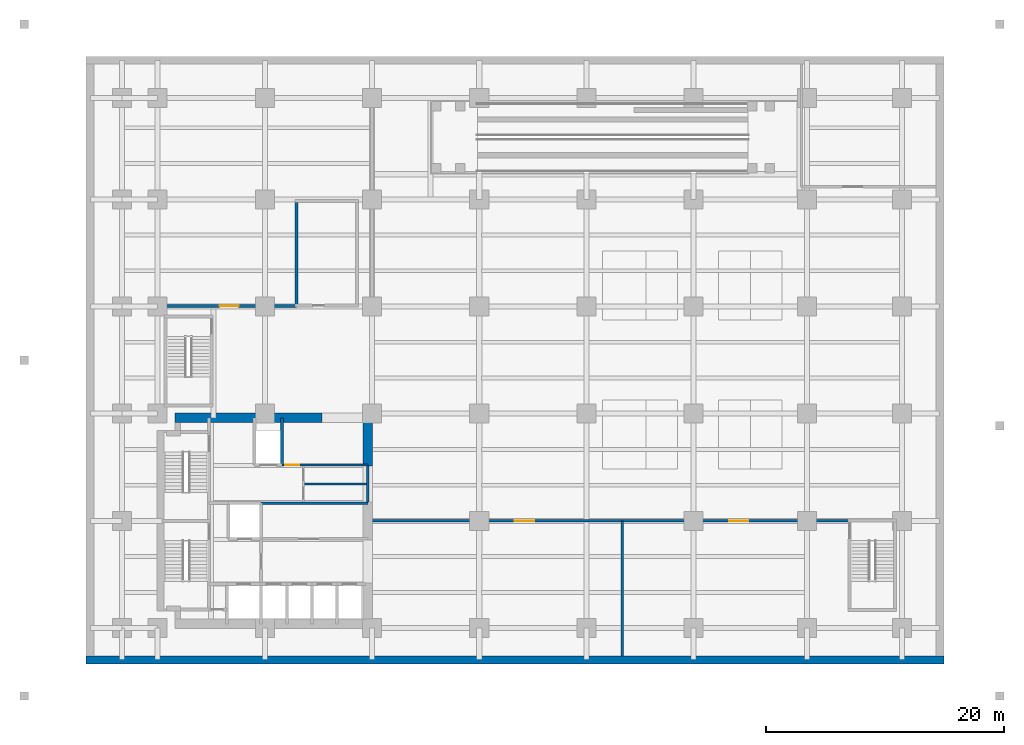
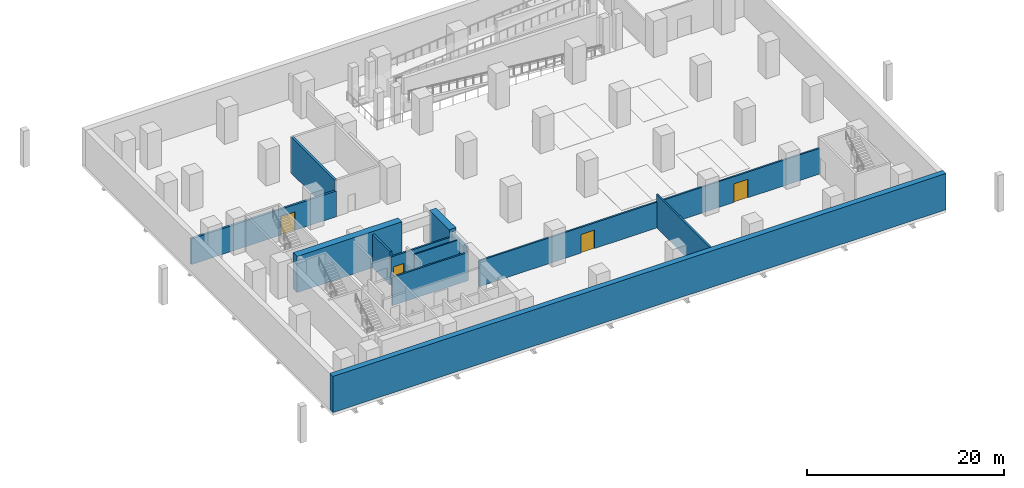
# One storey, part 6 of 10: 13 walls, 4 doors, 4 openings.
"""IFC4 building model written with IfcOpenShell, lengths in metres."""

from ifc_helpers import new_model, si_unit, direction, frame, frame_2d, origin, place, context, subcontext, project, spatial, rectangle, extrude, material, layer, layer_set, type_object, element, fill, save


model = new_model("IFC4")

# Units and contexts
model_context = context("Model", 3, precision=1e-05, world=origin(), true_north=direction((0.0, 1.0)))
body_context = subcontext(model_context, "Body", "Model", "MODEL_VIEW")
ifc_project = project(units=[si_unit("LENGTHUNIT", "METRE"), si_unit("AREAUNIT", "SQUARE_METRE"), si_unit("VOLUMEUNIT", "CUBIC_METRE"), si_unit("PLANEANGLEUNIT", "RADIAN"), si_unit("MASSUNIT", "GRAM", prefix="KILO")], contexts=[model_context])

# Site, building, storey
site_placement = place(None, origin())
site = spatial("IfcSite", under=ifc_project, at=site_placement, CompositionType="ELEMENT")
building_placement = place(site_placement, origin())
building = spatial("IfcBuilding", under=site, at=building_placement, Name="Mawjdan Bourse Tower", CompositionType="ELEMENT")
storey_placement = place(building_placement, frame((0.0, 0.0, -9.0)))
storey = spatial("IfcBuildingStorey", under=building, at=storey_placement, Name="B02", CompositionType="ELEMENT", Elevation=-9.0)

# Wall, opening, door
ifc_material_1 = material(Name="Gypsum Fireboard Assembly")
ifc_layer_1 = layer(ifc_material_1, 0.199951171875)
ifc_layer_set_1 = layer_set([ifc_layer_1], Name="Gypsum Fireboard Assembly")
wall_type_1 = type_object("IfcWallType", Name="WL-CMP-200", PredefinedType="PARTITIONING", material=ifc_layer_set_1)
wall_1_placement = place(storey_placement, frame((16.449951171875, 16.699951171875, 0.0), z_axis=(0.0, 0.0, 1.0), x_axis=(1.0, 0.0, 0.0)))
wall_1 = element("IfcWall", 1, at=wall_1_placement, inside=storey, type_object=wall_type_1, Name="B02 Basement Core Header South Wall", PredefinedType="PARTITIONING", context=body_context, shape_type="SweptSolid", body=[
    extrude(rectangle(XDim=7.199951171875, YDim=0.199951171875, at=frame_2d((3.60009765625, 0.0))), origin(), (0.0, 0.0, 1.0), 3.52294921875),
])
opening_1_placement = place(wall_1_placement, frame((0.25, 0.0, 0.0)))
opening_1 = element("IfcOpeningElement", 2, at=opening_1_placement, cuts=wall_1, Name="Opening PD-B02-10", PredefinedType="OPENING", context=body_context, shape_type="SweptSolid", body=[
    extrude(rectangle(XDim=1.199951171875, YDim=2.199951171875, at=frame_2d((0.60009765625, 1.10009765625))), frame((0.0, 0.10986328125, 0.0), z_axis=(0.0, -1.0, 0.0), x_axis=(1.0, 0.0, 0.0)), (0.0, 0.0, 1.0), 0.219970703125),
])
ifc_material_2 = material(Name="Fire-Rated Steel Leaf", Category="steel")
door_type_1 = type_object("IfcDoorType", Name="FD-FFL-1200", OperationType="NOTDEFINED", PredefinedType="DOOR", material=ifc_material_2)
door_1_placement = place(opening_1_placement, origin())
door_1 = element("IfcDoor", 3, at=door_1_placement, inside=storey, type_object=door_type_1, Name="B02 Core Header Room Door PD-B02-10", OperationType="SINGLE_SWING_LEFT", OverallHeight=2.199951171875, OverallWidth=1.199951171875, PredefinedType="DOOR", context=body_context, shape_type="SweptSolid", body=[
    extrude(rectangle(XDim=1.199951171875, YDim=2.199951171875, at=frame_2d((0.60009765625, 1.10009765625))), frame((0.0, 0.02490234375, 0.0), z_axis=(0.0, -1.0, 0.0), x_axis=(1.0, 0.0, 0.0)), (0.0, 0.0, 1.0), 0.050048828125),
])
fill(opening_1, door_1)

# Walls
wall_2_placement = place(storey_placement, frame((14.699951171875, 13.5, 0.0), z_axis=(0.0, 0.0, 1.0), x_axis=(1.0, 0.0, 0.0)))
element("IfcWall", 4, at=wall_2_placement, inside=storey, type_object=wall_type_1, Name="B02 Basement Switchroom North Wall", PredefinedType="PARTITIONING", context=body_context, shape_type="SweptSolid", body=[
    extrude(rectangle(XDim=8.949951171875, YDim=0.199951171875, at=frame_2d((4.47509765625, 0.0))), origin(), (0.0, 0.0, 1.0), 3.52294921875),
])
wall_3_placement = place(storey_placement, frame((23.64990234375, 13.60009765625, 0.0), z_axis=(0.0, 0.0, 1.0), x_axis=(0.0, 1.0, 0.0)))
element("IfcWall", 5, at=wall_3_placement, inside=storey, type_object=wall_type_1, Name="B02 Core Restroom East Enclosing Wall", PredefinedType="PARTITIONING", context=body_context, shape_type="SweptSolid", body=[
    extrude(rectangle(XDim=3.0, YDim=0.199951171875, at=frame_2d((1.5, 0.0))), origin(), (0.0, 0.0, 1.0), 4.139892578125),
])
wall_4_placement = place(storey_placement, frame((45.0, 0.64990234375, 0.0), z_axis=(0.0, 0.0, 1.0), x_axis=(0.0, 1.0, 0.0)))
element("IfcWall", 6, at=wall_4_placement, inside=storey, type_object=wall_type_1, Name="B02 Basement South Plant Split Wall", PredefinedType="PARTITIONING", context=body_context, shape_type="SweptSolid", body=[
    extrude(rectangle(XDim=11.35009765625, YDim=0.199951171875, at=frame_2d((5.675048828125, 0.0))), origin(), (0.0, 0.0, 1.0), 4.139892578125),
])

# Wall, opening, door
wall_5_placement = place(storey_placement, frame((24.0, 12.0, 0.0), z_axis=(0.0, 0.0, 1.0), x_axis=(1.0, 0.0, 0.0)))
wall_5 = element("IfcWall", 7, at=wall_5_placement, inside=storey, type_object=wall_type_1, Name="B02 Lusail District Cooling ETS Plant Room North Wall", PredefinedType="PARTITIONING", context=body_context, shape_type="SweptSolid", body=[
    extrude(rectangle(XDim=21.0, YDim=0.199951171875, at=frame_2d((10.5, 0.0))), origin(), (0.0, 0.0, 1.0), 3.199951171875),
])
opening_2_placement = place(wall_5_placement, frame((12.0, 0.0, 0.0)))
opening_2 = element("IfcOpeningElement", 8, at=opening_2_placement, cuts=wall_5, Name="Opening PD-B02-22", PredefinedType="OPENING", context=body_context, shape_type="SweptSolid", body=[
    extrude(rectangle(XDim=1.60009765625, YDim=2.300048828125, at=frame_2d((0.800048828125, 1.14990234375))), frame((0.0, 0.10986328125, 0.0), z_axis=(0.0, -1.0, 0.0), x_axis=(1.0, 0.0, 0.0)), (0.0, 0.0, 1.0), 0.219970703125),
])
ifc_material_3 = material(Name="Fire-Rated Acoustic Steel", Category="steel")
door_type_2 = type_object("IfcDoorType", Name="FD-PLT-1600", OperationType="DOUBLE_DOOR_SINGLE_SWING", PredefinedType="DOOR", material=ifc_material_3)
door_2_placement = place(opening_2_placement, origin())
door_2 = element("IfcDoor", 9, at=door_2_placement, inside=storey, type_object=door_type_2, Name="B02 Lusail District Cooling ETS Plant Room Door PD-B02-22", OperationType="DOUBLE_DOOR_SINGLE_SWING", OverallHeight=2.300048828125, OverallWidth=1.60009765625, PredefinedType="DOOR", context=body_context, shape_type="SweptSolid", body=[
    extrude(rectangle(XDim=1.60009765625, YDim=2.300048828125, at=frame_2d((0.800048828125, 1.14990234375))), frame((0.0, 0.02490234375, 0.0), z_axis=(0.0, -1.0, 0.0), x_axis=(1.0, 0.0, 0.0)), (0.0, 0.0, 1.0), 0.050048828125),
])
fill(opening_2, door_2)

wall_6_placement = place(storey_placement, frame((45.0, 12.0, 0.0), z_axis=(0.0, 0.0, 1.0), x_axis=(1.0, 0.0, 0.0)))
wall_6 = element("IfcWall", 10, at=wall_6_placement, inside=storey, type_object=wall_type_1, Name="B02 Chilled Water Primary Pump Room North Wall", PredefinedType="PARTITIONING", context=body_context, shape_type="SweptSolid", body=[
    extrude(rectangle(XDim=19.080078125, YDim=0.199951171875, at=frame_2d((9.5400390625, 0.0))), origin(), (0.0, 0.0, 1.0), 3.199951171875),
])
opening_3_placement = place(wall_6_placement, frame((9.0, 0.0, 0.0)))
opening_3 = element("IfcOpeningElement", 11, at=opening_3_placement, cuts=wall_6, Name="Opening PD-B02-23", PredefinedType="OPENING", context=body_context, shape_type="SweptSolid", body=[
    extrude(rectangle(XDim=1.60009765625, YDim=2.300048828125, at=frame_2d((0.800048828125, 1.14990234375))), frame((0.0, 0.10986328125, 0.0), z_axis=(0.0, -1.0, 0.0), x_axis=(1.0, 0.0, 0.0)), (0.0, 0.0, 1.0), 0.219970703125),
])
door_3_placement = place(opening_3_placement, origin())
door_3 = element("IfcDoor", 12, at=door_3_placement, inside=storey, type_object=door_type_2, Name="B02 Chilled Water Primary Pump Room Door PD-B02-23", OperationType="DOUBLE_DOOR_SINGLE_SWING", OverallHeight=2.300048828125, OverallWidth=1.60009765625, PredefinedType="DOOR", context=body_context, shape_type="SweptSolid", body=[
    extrude(rectangle(XDim=1.60009765625, YDim=2.300048828125, at=frame_2d((0.800048828125, 1.14990234375))), frame((0.0, 0.02490234375, 0.0), z_axis=(0.0, -1.0, 0.0), x_axis=(1.0, 0.0, 0.0)), (0.0, 0.0, 1.0), 0.050048828125),
])
fill(opening_3, door_3)

# Walls
ifc_material_4 = material(Name="Concrete C80/95", Category="concrete")
ifc_layer_2 = layer(ifc_material_4, 0.800048828125)
ifc_layer_set_2 = layer_set([ifc_layer_2], Name="Concrete C80/95")
wall_type_2 = type_object("IfcWallType", Name="WL-CORE-800", PredefinedType="SHEAR", material=ifc_layer_set_2)
wall_7_placement = place(storey_placement, frame((7.47509765625, 20.64990234375, 0.0), z_axis=(0.0, 0.0, 1.0), x_axis=(1.0, 0.0, 0.0)))
element("IfcWall", 13, at=wall_7_placement, inside=storey, type_object=wall_type_2, Name="B02 Rear Core Shear Wall N", PredefinedType="SHEAR", context=body_context, shape_type="SweptSolid", body=[
    extrude(rectangle(XDim=12.324951171875, YDim=0.800048828125, at=frame_2d((6.16259765625, 0.0))), origin(), (0.0, 0.0, 1.0), 4.5),
])
wall_8_placement = place(storey_placement, frame((23.64990234375, 16.60009765625, 0.0), z_axis=(0.0, 0.0, 1.0), x_axis=(0.0, 1.0, 0.0)))
element("IfcWall", 14, at=wall_8_placement, inside=storey, type_object=wall_type_2, Name="B02 Rear Core Shear Wall E3", PredefinedType="SHEAR", context=body_context, shape_type="SweptSolid", body=[
    extrude(rectangle(XDim=4.0498046875, YDim=0.800048828125, at=frame_2d((2.02490234375, 0.0))), origin(), (0.0, 0.0, 1.0), 4.5),
])
ifc_material_5 = material(Name="Gypsum Acoustic Partition")
ifc_layer_3 = layer(ifc_material_5, 0.14990234375)
ifc_layer_set_3 = layer_set([ifc_layer_3], Name="Gypsum Acoustic Partition")
wall_type_3 = type_object("IfcWallType", Name="WL-PRT-150", PredefinedType="PARTITIONING", material=ifc_layer_set_3)
wall_9_placement = place(storey_placement, frame((18.25, 15.10009765625, 0.0), z_axis=(0.0, 0.0, 1.0), x_axis=(1.0, 0.0, 0.0)))
element("IfcWall", 15, at=wall_9_placement, inside=storey, type_object=wall_type_3, Name="B02 Core Restroom Horizontal Split", PredefinedType="PARTITIONING", context=body_context, shape_type="SweptSolid", body=[
    extrude(rectangle(XDim=5.39990234375, YDim=0.14990234375, at=frame_2d((2.699951171875, 0.0))), origin(), (0.0, 0.0, 1.0), 4.139892578125),
])
ifc_material_6 = material(Name="Concrete C60/75", Category="concrete")
ifc_layer_4 = layer(ifc_material_6, 0.64990234375)
ifc_layer_set_4 = layer_set([ifc_layer_4], Name="Concrete C60/75")
wall_type_4 = type_object("IfcWallType", Name="WL-RET-650", PredefinedType="USERDEFINED", material=ifc_layer_set_4)
wall_10_placement = place(storey_placement, frame((0.0, 0.324951171875, 0.0), z_axis=(0.0, 0.0, 1.0), x_axis=(1.0, 0.0, 0.0)))
element("IfcWall", 16, at=wall_10_placement, inside=storey, type_object=wall_type_4, Name="B02 Perimeter Diaphragm Retaining Wall S", ObjectType="RETAINING", PredefinedType="USERDEFINED", context=body_context, shape_type="SweptSolid", body=[
    extrude(rectangle(XDim=72.0, YDim=0.64990234375, at=frame_2d((36.0, 0.0))), origin(), (0.0, 0.0, 1.0), 4.5),
])
ifc_material_7 = material(Name="Concrete C50/60", Category="concrete")
ifc_layer_5 = layer(ifc_material_7, 0.25)
ifc_layer_set_5 = layer_set([ifc_layer_5], Name="Concrete C50/60")
wall_type_5 = type_object("IfcWallType", Name="WL-SHFT-250", PredefinedType="PARTITIONING", material=ifc_layer_set_5)
wall_11_placement = place(storey_placement, frame((16.449951171875, 16.699951171875, 0.0), z_axis=(0.0, 0.0, 1.0), x_axis=(0.0, 1.0, 0.0)))
element("IfcWall", 17, at=wall_11_placement, inside=storey, type_object=wall_type_5, Name="B02 SVL-01 East Shaft Wall", PredefinedType="PARTITIONING", context=body_context, shape_type="SweptSolid", body=[
    extrude(rectangle(XDim=3.949951171875, YDim=0.25, at=frame_2d((1.97509765625, 0.0))), origin(), (0.0, 0.0, 1.0), 4.139892578125),
])

# Wall, opening, door
wall_12_placement = place(storey_placement, frame((0.64990234375, 30.050048828125, 0.0), z_axis=(0.0, 0.0, 1.0), x_axis=(1.0, 0.0, 0.0)))
wall_12 = element("IfcWall", 18, at=wall_12_placement, inside=storey, type_object=wall_type_5, Name="B02 Clearing Depository Vault South Vault Wall", PredefinedType="PARTITIONING", context=body_context, shape_type="SweptSolid", body=[
    extrude(rectangle(XDim=17.030029296875, YDim=0.25, at=frame_2d((8.51513671875, 0.0))), origin(), (0.0, 0.0, 1.0), 3.199951171875),
])
opening_4_placement = place(wall_12_placement, frame((10.550048828125, 0.0, 0.0)))
opening_4 = element("IfcOpeningElement", 19, at=opening_4_placement, cuts=wall_12, Name="Opening VD-B02-20", PredefinedType="OPENING", context=body_context, shape_type="SweptSolid", body=[
    extrude(rectangle(XDim=1.60009765625, YDim=2.300048828125, at=frame_2d((0.800048828125, 1.14990234375))), frame((0.0, 0.135009765625, 0.0), z_axis=(0.0, -1.0, 0.0), x_axis=(1.0, 0.0, 0.0)), (0.0, 0.0, 1.0), 0.27001953125),
])
door_4_placement = place(opening_4_placement, origin())
door_4 = element("IfcDoor", 20, at=door_4_placement, inside=storey, type_object=door_type_2, Name="B02 Clearing Depository Vault Security Door VD-B02-20", OperationType="DOUBLE_DOOR_SINGLE_SWING", OverallHeight=2.300048828125, OverallWidth=1.60009765625, PredefinedType="DOOR", context=body_context, shape_type="SweptSolid", body=[
    extrude(rectangle(XDim=1.60009765625, YDim=2.300048828125, at=frame_2d((0.800048828125, 1.14990234375))), frame((0.0, 0.02490234375, 0.0), z_axis=(0.0, -1.0, 0.0), x_axis=(1.0, 0.0, 0.0)), (0.0, 0.0, 1.0), 0.050048828125),
])
fill(opening_4, door_4)

# Wall
ifc_layer_6 = layer(ifc_material_7, 0.25)
ifc_layer_set_6 = layer_set([ifc_layer_6], Name="Concrete C50/60")
wall_type_6 = type_object("IfcWallType", Name="WL-STRW-250", PredefinedType="SHEAR", material=ifc_layer_set_6)
wall_13_placement = place(storey_placement, frame((17.679931640625, 30.080078125, 0.0), z_axis=(0.0, 0.0, 1.0), x_axis=(0.0, 1.0, 0.0)))
element("IfcWall", 21, at=wall_13_placement, inside=storey, type_object=wall_type_6, Name="B02 ST4 Sub-Shaft West Wall", PredefinedType="SHEAR", context=body_context, shape_type="SweptSolid", body=[
    extrude(rectangle(XDim=8.7900390625, YDim=0.25, at=frame_2d((4.39501953125, 0.0))), origin(), (0.0, 0.0, 1.0), 4.5),
])

save(model, "model.ifc")
